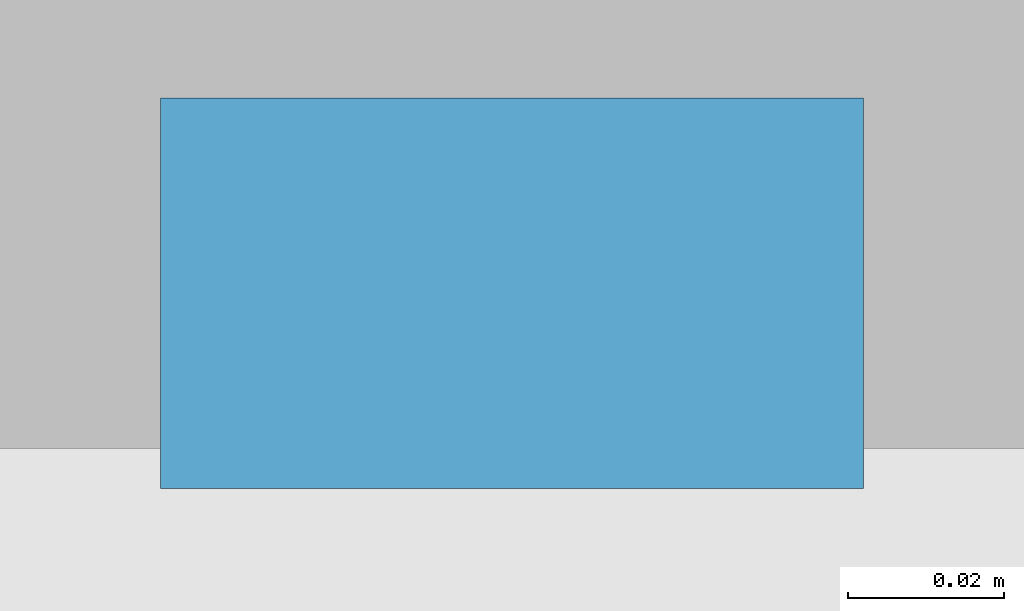
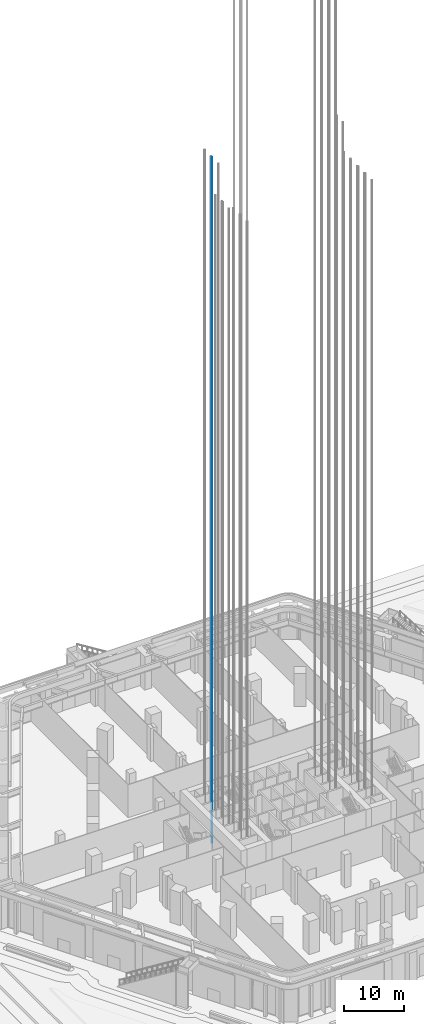
# One storey, part 36 of 68: 1 discrete accessory.
"""IFC4 building model written with IfcOpenShell, lengths in metres."""

import ifcopenshell
import ifcopenshell.guid

model = None  # the IFC model being written
_history = None  # IfcOwnerHistory: only IFC2X3 demands one
_inside = {}  # id of a spatial element -> (the spatial element, [elements in it])
_under = {}  # id of a project, library or spatial element -> (it, [spatial elements below it])
_declared = {}  # id of a project -> (the project, [libraries it declares])
_typed = {}  # id of a type object -> (the type object, [elements of that type])
_made_of = {}  # id of a material, layer set ... -> (it, [elements and type objects made of it])


def new_model(schema):
    """Start an empty IFC model of exactly this schema.

    Asked for "IFC4X3", IfcOpenShell would pick the latest addendum, in which some entities
    have other attributes; the version numbers below select the first issue.
    IFC2X3 requires an IfcOwnerHistory on every rooted entity: one is made here for all.
    """
    global model, _history
    if schema == "IFC4X3":
        model = ifcopenshell.file(schema_version=(4, 3, 0, 0))
    else:
        model = ifcopenshell.file(schema=schema)
    _inside.clear()
    _under.clear()
    _declared.clear()
    _typed.clear()
    _made_of.clear()
    _history = None
    if model.schema == "IFC2X3":
        org = make("IfcOrganization", Name="unknown")
        user = make(
            "IfcPersonAndOrganization",
            ThePerson=make("IfcPerson", FamilyName="unknown"),
            TheOrganization=org,
        )
        app = make(
            "IfcApplication",
            ApplicationDeveloper=org,
            Version="unknown",
            ApplicationFullName="unknown",
            ApplicationIdentifier="unknown",
        )
        _history = make(
            "IfcOwnerHistory",
            OwningUser=user,
            OwningApplication=app,
            ChangeAction="ADDED",
            CreationDate=0,
        )
    return model


def make(cls, **values):
    """One entity of the class cls with the attributes given. An attribute that is None is left unset."""
    return model.create_entity(
        cls, **{name: value for name, value in values.items() if value is not None}
    )


def rooted(cls, **values):
    """An entity with a GlobalId (a new one), such as an element, a storey or a relation."""
    return make(cls, GlobalId=ifcopenshell.guid.new(), OwnerHistory=_history, **values)


def si_unit(unit_type, name, prefix=None):
    """IfcSIUnit, for example si_unit("LENGTHUNIT", "METRE", prefix="MILLI")."""
    return make("IfcSIUnit", UnitType=unit_type, Prefix=prefix, Name=name)


def assignment(units):
    """IfcUnitAssignment: the units of a project."""
    return None if units is None else make("IfcUnitAssignment", Units=units)


def point(xyz):
    """IfcCartesianPoint."""
    return None if xyz is None else make("IfcCartesianPoint", Coordinates=xyz)


def direction(xyz):
    """IfcDirection."""
    return None if xyz is None else make("IfcDirection", DirectionRatios=xyz)


def frame(location, z_axis=None, x_axis=None):
    """IfcAxis2Placement3D, a coordinate frame: its origin and axes. An axis left out is left unset."""
    return make(
        "IfcAxis2Placement3D",
        Location=point(location),
        Axis=direction(z_axis),
        RefDirection=direction(x_axis),
    )


def frame_2d(location, x_axis=None):
    """IfcAxis2Placement2D, a coordinate frame in the plane: its origin and x axis."""
    return make(
        "IfcAxis2Placement2D", Location=point(location), RefDirection=direction(x_axis)
    )


def origin():
    """The frame at (0, 0, 0) with its axes left unset."""
    return frame((0.0, 0.0, 0.0))


def origin_2d():
    """The frame at (0, 0) in the plane with its x axis left unset."""
    return frame_2d((0.0, 0.0))


def place(relative_to, where):
    """IfcLocalPlacement: puts the frame where relative to a parent placement (None: the world)."""
    return make(
        "IfcLocalPlacement", PlacementRelTo=relative_to, RelativePlacement=where
    )


def context(
    kind, dimensions, precision=None, world=None, true_north=None, identifier=None
):
    """IfcGeometricRepresentationContext, for example the 3D "Model" context."""
    return make(
        "IfcGeometricRepresentationContext",
        ContextIdentifier=identifier,
        ContextType=kind,
        CoordinateSpaceDimension=dimensions,
        Precision=precision,
        WorldCoordinateSystem=world,
        TrueNorth=true_north,
    )


def subcontext(parent, identifier, kind, view, scale=None):
    """IfcGeometricRepresentationSubContext, for example "Body" below "Model"."""
    return make(
        "IfcGeometricRepresentationSubContext",
        ContextIdentifier=identifier,
        ContextType=kind,
        ParentContext=parent,
        TargetScale=scale,
        TargetView=view,
    )


def project(units=None, contexts=None):
    """IfcProject with its units and contexts."""
    return rooted(
        "IfcProject",
        Name="project",
        RepresentationContexts=contexts,
        UnitsInContext=assignment(units),
    )


def spatial(cls, under=None, at=None, **own):
    """A site, building, storey or space (cls), placed at a placement, below another one or the project."""
    s = rooted(cls, ObjectPlacement=at, **own)
    if under is not None:
        _under.setdefault(under.id(), (under, []))[1].append(s)
    return s


def profile(cls, at=None, kind="AREA", **sizes):
    """A parametric profile (cls). Its sizes go by their IFC names, for example OverallWidth=200.0."""
    return make(cls, ProfileType=kind, Position=at, **sizes)


def rectangle(**sizes):
    """IfcRectangleProfileDef."""
    return profile("IfcRectangleProfileDef", **sizes)


def extrude(swept, where, along, depth):
    """IfcExtrudedAreaSolid: the profile swept, set in the frame where, extruded along a direction by depth."""
    return make(
        "IfcExtrudedAreaSolid",
        SweptArea=swept,
        Position=where,
        ExtrudedDirection=direction(along),
        Depth=depth,
    )


def shape(context_of_items, identifier, shape_type, items):
    """IfcShapeRepresentation: the items that make up one representation, for example the "Body"."""
    return make(
        "IfcShapeRepresentation",
        ContextOfItems=context_of_items,
        RepresentationIdentifier=identifier,
        RepresentationType=shape_type,
        Items=items,
    )


def made_of(thing, what):
    """Note that an element or type object is made of a material, layer set ...; save() writes the relation."""
    if what is not None:
        _made_of.setdefault(what.id(), (what, []))[1].append(thing)
    return thing


def element(
    cls,
    number,
    at=None,
    inside=None,
    cuts=None,
    type_object=None,
    material=None,
    context=None,
    identifier="Body",
    shape_type=None,
    held_by="IfcProductDefinitionShape",
    body=None,
    shapes=None,
    **own,
):
    """One element of the class cls, such as IfcWall. Its Tag is "e" and its number.

    at: its placement. inside: the storey or other place that contains it. cuts: it is an
    opening in that element (IfcRelVoidsElement). A single representation is given by context,
    identifier, shape_type and body (its items); several are given by shapes. held_by: the class
    of the entity that holds the representations. save() writes the other relations.
    """
    e = rooted(cls, Tag="e%d" % number, ObjectPlacement=at, **own)
    if body is not None:
        shapes = [shape(context, identifier, shape_type, body)]
    if shapes is not None:
        e.Representation = make(held_by, Representations=shapes)
    if inside is not None:
        _inside.setdefault(inside.id(), (inside, []))[1].append(e)
    if cuts is not None:
        rooted(
            "IfcRelVoidsElement", RelatingBuildingElement=cuts, RelatedOpeningElement=e
        )
    if type_object is not None:
        _typed.setdefault(type_object.id(), (type_object, []))[1].append(e)
    return made_of(e, material)


def aggregate(whole, parts):
    """IfcRelAggregates: a whole, such as a stair, and the parts it consists of."""
    return rooted("IfcRelAggregates", RelatingObject=whole, RelatedObjects=parts)


def save(model, path):
    """Write the relations noted so far, then the file.

    IfcRelAggregates (storeys below a building ...), IfcRelContainedInSpatialStructure (elements
    in a storey), IfcRelDefinesByType, IfcRelAssociatesMaterial and IfcRelDeclares: one each for
    every whole, place, type object, material and project.
    """
    for whole, parts in _under.values():
        aggregate(whole, parts)
    for where, things in _inside.values():
        rooted(
            "IfcRelContainedInSpatialStructure",
            RelatedElements=things,
            RelatingStructure=where,
        )
    for kind, things in _typed.values():
        rooted("IfcRelDefinesByType", RelatedObjects=things, RelatingType=kind)
    for what, things in _made_of.values():
        rooted("IfcRelAssociatesMaterial", RelatedObjects=things, RelatingMaterial=what)
    for by, libraries in _declared.values():
        rooted("IfcRelDeclares", RelatingContext=by, RelatedDefinitions=libraries)
    model.write(path)


model = new_model("IFC4")

# Units and contexts
model_context = context("Model", 3, precision=1e-05, world=origin(), true_north=direction((0.0, 1.0)))
body_context = subcontext(model_context, "Body", "Model", "MODEL_VIEW")
ifc_project = project(units=[si_unit("LENGTHUNIT", "METRE"), si_unit("AREAUNIT", "SQUARE_METRE"), si_unit("VOLUMEUNIT", "CUBIC_METRE"), si_unit("PLANEANGLEUNIT", "RADIAN"), si_unit("MASSUNIT", "GRAM", prefix="KILO")], contexts=[model_context])

# Site, building, storey
site_placement = place(None, origin())
site = spatial("IfcSite", under=ifc_project, at=site_placement, CompositionType="ELEMENT")
building_placement = place(site_placement, origin())
building = spatial("IfcBuilding", under=site, at=building_placement, Name="Kolab Exchange Tower", CompositionType="ELEMENT")
storey_placement = place(building_placement, origin())
storey = spatial("IfcBuildingStorey", under=building, at=storey_placement, Name="L00", CompositionType="ELEMENT", Elevation=0.0)

# Discrete accessory
discrete_accessory_placement = place(storey_placement, frame((-12.0, 4.669921875, -1.599853515625), z_axis=(0.0, 0.0, 1.0), x_axis=(1.0, 0.0, 0.0)))
element("IfcDiscreteAccessory", 1, at=discrete_accessory_placement, inside=storey, Name="Guide rail SH3-2", ObjectType="GUIDE RAIL", PredefinedType="USERDEFINED", context=body_context, shape_type="SweptSolid", body=[
    extrude(rectangle(XDim=0.090087890625, YDim=0.050048828125, at=origin_2d()), origin(), (0.0, 0.0, 1.0), 139.39990234375),
])

save(model, "model.ifc")
